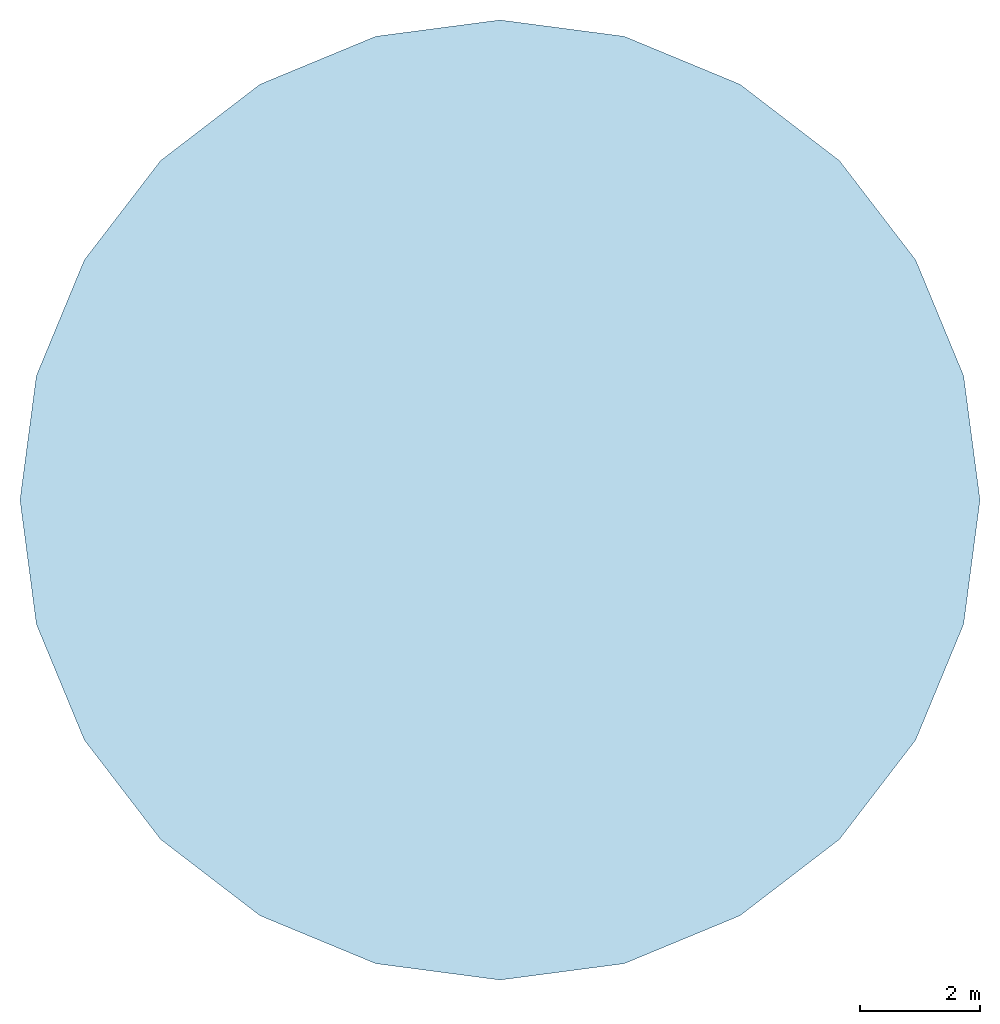
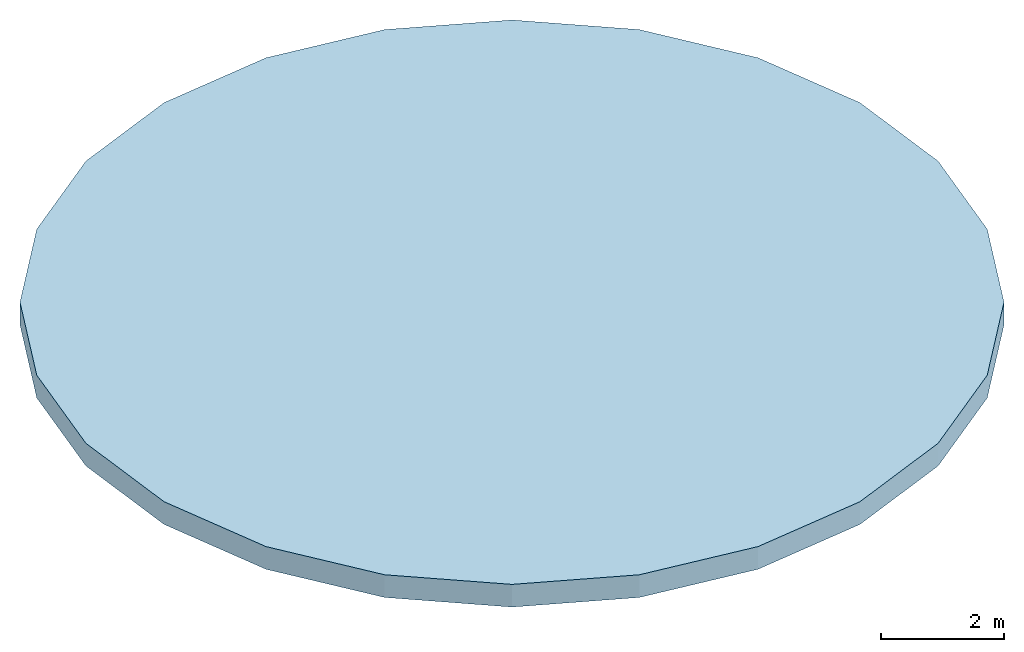
# One storey: 1 slab.
"""IFC4 building model written with IfcOpenShell, lengths in metres."""

import ifcopenshell
import ifcopenshell.guid

model = None  # the IFC model being written
_history = None  # IfcOwnerHistory: only IFC2X3 demands one
_inside = {}  # id of a spatial element -> (the spatial element, [elements in it])
_under = {}  # id of a project, library or spatial element -> (it, [spatial elements below it])
_declared = {}  # id of a project -> (the project, [libraries it declares])
_typed = {}  # id of a type object -> (the type object, [elements of that type])
_made_of = {}  # id of a material, layer set ... -> (it, [elements and type objects made of it])


def new_model(schema):
    """Start an empty IFC model of exactly this schema.

    Asked for "IFC4X3", IfcOpenShell would pick the latest addendum, in which some entities
    have other attributes; the version numbers below select the first issue.
    IFC2X3 requires an IfcOwnerHistory on every rooted entity: one is made here for all.
    """
    global model, _history
    if schema == "IFC4X3":
        model = ifcopenshell.file(schema_version=(4, 3, 0, 0))
    else:
        model = ifcopenshell.file(schema=schema)
    _inside.clear()
    _under.clear()
    _declared.clear()
    _typed.clear()
    _made_of.clear()
    _history = None
    if model.schema == "IFC2X3":
        org = make("IfcOrganization", Name="unknown")
        user = make(
            "IfcPersonAndOrganization",
            ThePerson=make("IfcPerson", FamilyName="unknown"),
            TheOrganization=org,
        )
        app = make(
            "IfcApplication",
            ApplicationDeveloper=org,
            Version="unknown",
            ApplicationFullName="unknown",
            ApplicationIdentifier="unknown",
        )
        _history = make(
            "IfcOwnerHistory",
            OwningUser=user,
            OwningApplication=app,
            ChangeAction="ADDED",
            CreationDate=0,
        )
    return model


def make(cls, **values):
    """One entity of the class cls with the attributes given. An attribute that is None is left unset."""
    return model.create_entity(
        cls, **{name: value for name, value in values.items() if value is not None}
    )


def rooted(cls, **values):
    """An entity with a GlobalId (a new one), such as an element, a storey or a relation."""
    return make(cls, GlobalId=ifcopenshell.guid.new(), OwnerHistory=_history, **values)


def si_unit(unit_type, name, prefix=None):
    """IfcSIUnit, for example si_unit("LENGTHUNIT", "METRE", prefix="MILLI")."""
    return make("IfcSIUnit", UnitType=unit_type, Prefix=prefix, Name=name)


def assignment(units):
    """IfcUnitAssignment: the units of a project."""
    return None if units is None else make("IfcUnitAssignment", Units=units)


def point(xyz):
    """IfcCartesianPoint."""
    return None if xyz is None else make("IfcCartesianPoint", Coordinates=xyz)


def direction(xyz):
    """IfcDirection."""
    return None if xyz is None else make("IfcDirection", DirectionRatios=xyz)


def frame(location, z_axis=None, x_axis=None):
    """IfcAxis2Placement3D, a coordinate frame: its origin and axes. An axis left out is left unset."""
    return make(
        "IfcAxis2Placement3D",
        Location=point(location),
        Axis=direction(z_axis),
        RefDirection=direction(x_axis),
    )


def origin():
    """The frame at (0, 0, 0) with its axes left unset."""
    return frame((0.0, 0.0, 0.0))


def place(relative_to, where):
    """IfcLocalPlacement: puts the frame where relative to a parent placement (None: the world)."""
    return make(
        "IfcLocalPlacement", PlacementRelTo=relative_to, RelativePlacement=where
    )


def context(
    kind, dimensions, precision=None, world=None, true_north=None, identifier=None
):
    """IfcGeometricRepresentationContext, for example the 3D "Model" context."""
    return make(
        "IfcGeometricRepresentationContext",
        ContextIdentifier=identifier,
        ContextType=kind,
        CoordinateSpaceDimension=dimensions,
        Precision=precision,
        WorldCoordinateSystem=world,
        TrueNorth=true_north,
    )


def subcontext(parent, identifier, kind, view, scale=None):
    """IfcGeometricRepresentationSubContext, for example "Body" below "Model"."""
    return make(
        "IfcGeometricRepresentationSubContext",
        ContextIdentifier=identifier,
        ContextType=kind,
        ParentContext=parent,
        TargetScale=scale,
        TargetView=view,
    )


def project(units=None, contexts=None):
    """IfcProject with its units and contexts."""
    return rooted(
        "IfcProject",
        Name="project",
        RepresentationContexts=contexts,
        UnitsInContext=assignment(units),
    )


def spatial(cls, under=None, at=None, **own):
    """A site, building, storey or space (cls), placed at a placement, below another one or the project."""
    s = rooted(cls, ObjectPlacement=at, **own)
    if under is not None:
        _under.setdefault(under.id(), (under, []))[1].append(s)
    return s


def polyline(points):
    """IfcPolyline through the points."""
    return make("IfcPolyline", Points=[point(p) for p in points])


def outline(outer, holes=None, kind="AREA"):
    """IfcArbitraryClosedProfileDef: a profile drawn as a closed curve; with holes, ...WithVoids."""
    if holes is None:
        return make("IfcArbitraryClosedProfileDef", ProfileType=kind, OuterCurve=outer)
    return make(
        "IfcArbitraryProfileDefWithVoids",
        ProfileType=kind,
        OuterCurve=outer,
        InnerCurves=holes,
    )


def extrude(swept, where, along, depth):
    """IfcExtrudedAreaSolid: the profile swept, set in the frame where, extruded along a direction by depth."""
    return make(
        "IfcExtrudedAreaSolid",
        SweptArea=swept,
        Position=where,
        ExtrudedDirection=direction(along),
        Depth=depth,
    )


def shape(context_of_items, identifier, shape_type, items):
    """IfcShapeRepresentation: the items that make up one representation, for example the "Body"."""
    return make(
        "IfcShapeRepresentation",
        ContextOfItems=context_of_items,
        RepresentationIdentifier=identifier,
        RepresentationType=shape_type,
        Items=items,
    )


def material(Name=None, Category=None):
    """IfcMaterial."""
    return make("IfcMaterial", Name=Name, Category=Category)


def layer(
    of_material, thickness, ventilated=None, Name=None, Category=None, Priority=None
):
    """IfcMaterialLayer: one layer of a wall or slab, of a material (None: an air gap)."""
    return make(
        "IfcMaterialLayer",
        Material=of_material,
        LayerThickness=thickness,
        IsVentilated=ventilated,
        Name=Name,
        Category=Category,
        Priority=Priority,
    )


def layer_set(layers, Name=None):
    """IfcMaterialLayerSet."""
    return make("IfcMaterialLayerSet", MaterialLayers=layers, LayerSetName=Name)


def made_of(thing, what):
    """Note that an element or type object is made of a material, layer set ...; save() writes the relation."""
    if what is not None:
        _made_of.setdefault(what.id(), (what, []))[1].append(thing)
    return thing


def type_object(cls, material=None, **own):
    """A type object (cls), such as IfcWallType, which elements share."""
    return made_of(rooted(cls, **own), material)


def element(
    cls,
    number,
    at=None,
    inside=None,
    cuts=None,
    type_object=None,
    material=None,
    context=None,
    identifier="Body",
    shape_type=None,
    held_by="IfcProductDefinitionShape",
    body=None,
    shapes=None,
    **own,
):
    """One element of the class cls, such as IfcWall. Its Tag is "e" and its number.

    at: its placement. inside: the storey or other place that contains it. cuts: it is an
    opening in that element (IfcRelVoidsElement). A single representation is given by context,
    identifier, shape_type and body (its items); several are given by shapes. held_by: the class
    of the entity that holds the representations. save() writes the other relations.
    """
    e = rooted(cls, Tag="e%d" % number, ObjectPlacement=at, **own)
    if body is not None:
        shapes = [shape(context, identifier, shape_type, body)]
    if shapes is not None:
        e.Representation = make(held_by, Representations=shapes)
    if inside is not None:
        _inside.setdefault(inside.id(), (inside, []))[1].append(e)
    if cuts is not None:
        rooted(
            "IfcRelVoidsElement", RelatingBuildingElement=cuts, RelatedOpeningElement=e
        )
    if type_object is not None:
        _typed.setdefault(type_object.id(), (type_object, []))[1].append(e)
    return made_of(e, material)


def aggregate(whole, parts):
    """IfcRelAggregates: a whole, such as a stair, and the parts it consists of."""
    return rooted("IfcRelAggregates", RelatingObject=whole, RelatedObjects=parts)


def save(model, path):
    """Write the relations noted so far, then the file.

    IfcRelAggregates (storeys below a building ...), IfcRelContainedInSpatialStructure (elements
    in a storey), IfcRelDefinesByType, IfcRelAssociatesMaterial and IfcRelDeclares: one each for
    every whole, place, type object, material and project.
    """
    for whole, parts in _under.values():
        aggregate(whole, parts)
    for where, things in _inside.values():
        rooted(
            "IfcRelContainedInSpatialStructure",
            RelatedElements=things,
            RelatingStructure=where,
        )
    for kind, things in _typed.values():
        rooted("IfcRelDefinesByType", RelatedObjects=things, RelatingType=kind)
    for what, things in _made_of.values():
        rooted("IfcRelAssociatesMaterial", RelatedObjects=things, RelatingMaterial=what)
    for by, libraries in _declared.values():
        rooted("IfcRelDeclares", RelatingContext=by, RelatedDefinitions=libraries)
    model.write(path)


model = new_model("IFC4")

# Units and contexts
model_context = context("Model", 3, precision=1e-05, world=origin(), true_north=direction((0.0, 1.0)))
body_context = subcontext(model_context, "Body", "Model", "MODEL_VIEW")
ifc_project = project(units=[si_unit("LENGTHUNIT", "METRE"), si_unit("AREAUNIT", "SQUARE_METRE"), si_unit("VOLUMEUNIT", "CUBIC_METRE"), si_unit("PLANEANGLEUNIT", "RADIAN"), si_unit("MASSUNIT", "GRAM", prefix="KILO")], contexts=[model_context])

# Site, building, storey
site_placement = place(None, origin())
site = spatial("IfcSite", under=ifc_project, at=site_placement, CompositionType="ELEMENT")
building_placement = place(site_placement, origin())
building = spatial("IfcBuilding", under=site, at=building_placement, Name="Vermilion Reach Broadcast Tower", CompositionType="ELEMENT")
storey_placement = place(building_placement, frame((0.0, 0.0, 339.199951171875)))
storey = spatial("IfcBuildingStorey", under=building, at=storey_placement, Name="ROOF", CompositionType="ELEMENT", Elevation=339.199951171875)

# Slab
ifc_material = material(Name="Concrete C40", Category="concrete")
ifc_layer = layer(ifc_material, 0.449951171875)
ifc_layer_set = layer_set([ifc_layer], Name="Plant drum roof slab Concrete C40 450")
slab_type = type_object("IfcSlabType", Name="Plant drum roof slab Concrete C40 450", PredefinedType="ROOF", material=ifc_layer_set)
slab_placement = place(storey_placement, frame((0.0, 0.0, -0.449951171875)))
element("IfcSlab", 1, at=slab_placement, inside=storey, type_object=slab_type, Name="Plant drum roof slab", PredefinedType="ROOF", context=body_context, shape_type="SweptSolid", body=[
    extrude(outline(polyline([(2.0, 0.0), (1.727294921875, 2.070556640625), (0.92822265625, 4.0), (-0.34326171875, 5.65673828125), (-2.0, 6.92822265625), (-3.929443359375, 7.727294921875), (-6.0, 8.0), (-8.070556640625, 7.727294921875), (-10.0, 6.92822265625), (-11.65673828125, 5.65673828125), (-12.92822265625, 4.0), (-13.727294921875, 2.070556640625), (-14.0, 0.0), (-13.727294921875, -2.070556640625), (-12.92822265625, -4.0), (-11.65673828125, -5.65673828125), (-10.0, -6.92822265625), (-8.070556640625, -7.727294921875), (-6.0, -8.0), (-3.929443359375, -7.727294921875), (-2.0, -6.92822265625), (-0.34326171875, -5.65673828125), (0.92822265625, -4.0), (1.727294921875, -2.070556640625), (2.0, 0.0)])), origin(), (0.0, 0.0, 1.0), 0.449951171875),
])

save(model, "model.ifc")
